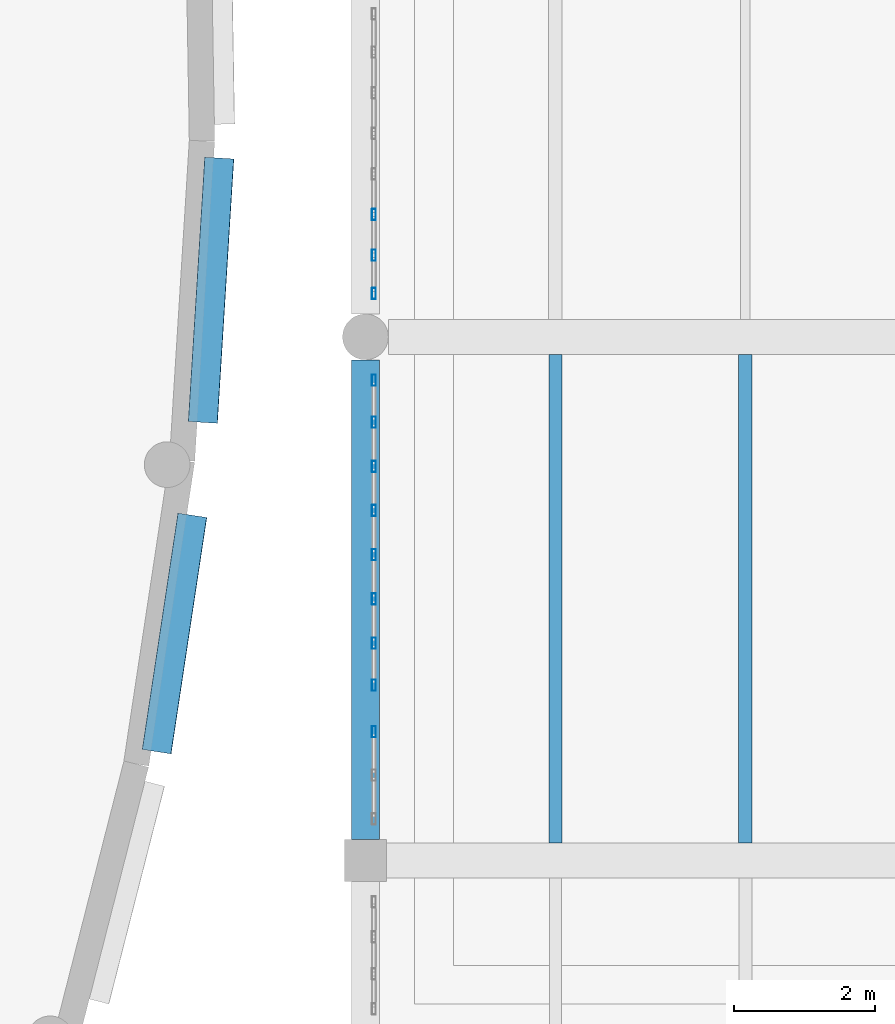
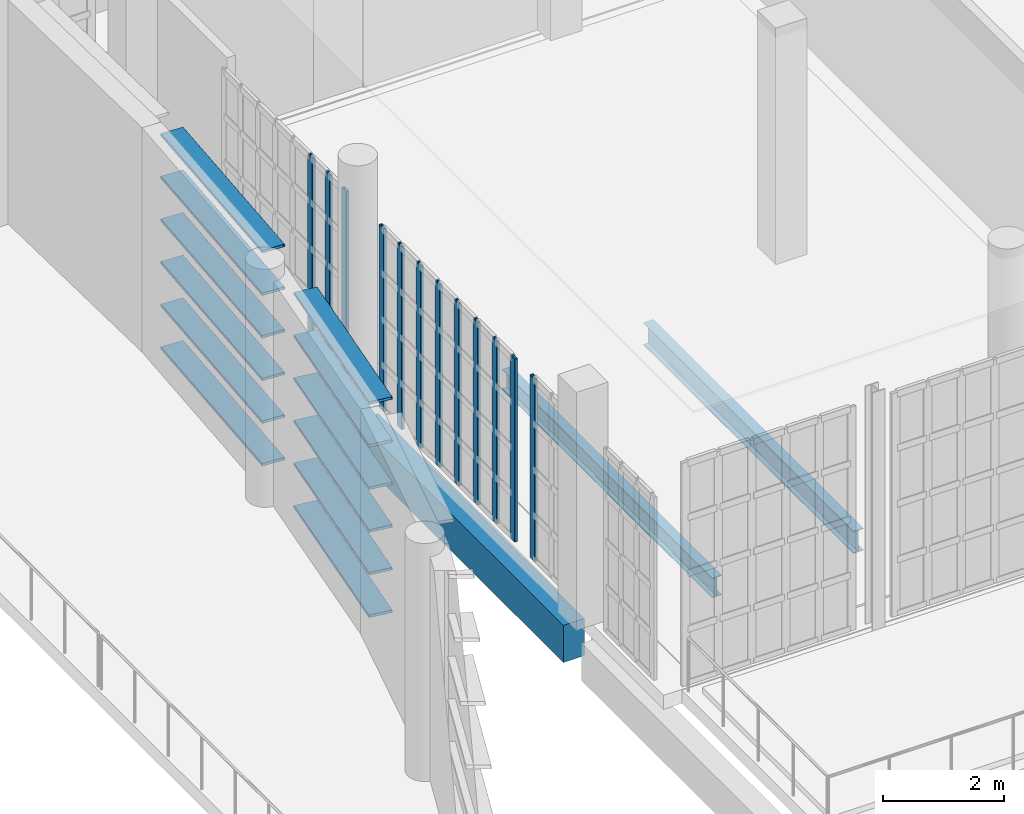
# One storey, part 29 of 104: 24 members, 3 beams, 3 elements without a shape of their own.
"""IFC4 building model written with IfcOpenShell, lengths in metres."""

from ifc_helpers import new_model, si_unit, direction, frame, origin, origin_2d, place, context, subcontext, project, spatial, rectangle, hollow_rectangle, i_section, extrude, material, material_profile, profile_set, type_object, element, aggregate, save


model = new_model("IFC4")

# Units and contexts
model_context = context("Model", 3, precision=1e-05, world=origin(), true_north=direction((0.0, 1.0)))
body_context = subcontext(model_context, "Body", "Model", "MODEL_VIEW")
ifc_project = project(units=[si_unit("LENGTHUNIT", "METRE"), si_unit("AREAUNIT", "SQUARE_METRE"), si_unit("VOLUMEUNIT", "CUBIC_METRE"), si_unit("PLANEANGLEUNIT", "RADIAN"), si_unit("MASSUNIT", "GRAM", prefix="KILO")], contexts=[model_context])

# Site, building, storey
site_placement = place(None, origin())
site = spatial("IfcSite", under=ifc_project, at=site_placement, CompositionType="ELEMENT")
building_placement = place(site_placement, origin())
building = spatial("IfcBuilding", under=site, at=building_placement, Name="Kaelora Sail Theatre", CompositionType="ELEMENT")
storey_placement = place(building_placement, frame((0.0, 0.0, 5.39990234375)))
storey = spatial("IfcBuildingStorey", under=building, at=storey_placement, Name="L01", CompositionType="ELEMENT", Elevation=5.39990234375)

# Members
ifc_material_1 = material(Name="Anodised aluminium 6063-T6", Category="aluminium")
ifc_material_profile_1 = material_profile(ifc_material_1, hollow_rectangle(XDim=0.419921875, YDim=0.054931640625, WallThickness=0.00390625, InnerFilletRadius=0.00390625, OuterFilletRadius=0.008056640625, at=origin_2d()), Name="LOUVRE 420x55x4")
ifc_profile_set_1 = profile_set([ifc_material_profile_1], Name="Anodised aluminium 6063-T6")
member_type_1 = type_object("IfcMemberType", Name="ARC-MEM-LVR-420", PredefinedType="USERDEFINED", material=ifc_profile_set_1)
for number, where, z_axis, x_axis, name in (
    (1, (104.72265625, 56.121337890625, 0.150146484375), (-0.062079432588, -0.998071211913, 0.0), (0.998071211913, -0.062079432588, 0.0), "Studio Theatre Sail Drum horizontal solar louvre C2-06"),
    (2, (104.72265625, 56.121337890625, 1.010009765625), (-0.062079432588, -0.998071211913, 0.0), (0.998071211913, -0.062079432588, 0.0), "Studio Theatre Sail Drum horizontal solar louvre C2-07"),
    (3, (104.72265625, 56.121337890625, 1.8701171875), (-0.062079432588, -0.998071211913, 0.0), (0.998071211913, -0.062079432588, 0.0), "Studio Theatre Sail Drum horizontal solar louvre C2-08"),
    (4, (104.72265625, 56.121337890625, 2.72998046875), (-0.062079432588, -0.998071211913, 0.0), (0.998071211913, -0.062079432588, 0.0), "Studio Theatre Sail Drum horizontal solar louvre C2-09"),
    (5, (104.72265625, 56.121337890625, 3.590087890625), (-0.062079432588, -0.998071211913, 0.0), (0.998071211913, -0.062079432588, 0.0), "Studio Theatre Sail Drum horizontal solar louvre C2-10"),
    (6, (104.72265625, 56.121337890625, 4.4501953125), (-0.062079432588, -0.998071211913, 0.0), (0.998071211913, -0.062079432588, 0.0), "Studio Theatre Sail Drum horizontal solar louvre C2-11"),
):
    element("IfcMember", number, at=place(storey_placement, frame(where, z_axis=z_axis, x_axis=x_axis)), inside=storey, type_object=member_type_1, Name=name, ObjectType="LOUVRE", PredefinedType="USERDEFINED", context=body_context, shape_type="SweptSolid", body=[
        extrude(hollow_rectangle(XDim=0.419921875, YDim=0.054931640625, WallThickness=0.00390625, InnerFilletRadius=0.00390625, OuterFilletRadius=0.008056640625, at=origin_2d()), origin(), (0.0, 0.0, 1.0), 3.763671875),
    ])
for number, where, z_axis, x_axis, name in (
    (7, (104.340087890625, 51.04443359375, 0.150146484375), (-0.149366728662, -0.98878186693, 0.0), (0.98878186693, -0.149366728662, 0.0), "Studio Theatre Sail Drum horizontal solar louvre C3-06"),
    (8, (104.340087890625, 51.04443359375, 1.010009765625), (-0.149366728662, -0.98878186693, 0.0), (0.98878186693, -0.149366728662, 0.0), "Studio Theatre Sail Drum horizontal solar louvre C3-07"),
    (9, (104.340087890625, 51.04443359375, 1.8701171875), (-0.149366728662, -0.98878186693, 0.0), (0.98878186693, -0.149366728662, 0.0), "Studio Theatre Sail Drum horizontal solar louvre C3-08"),
    (10, (104.340087890625, 51.04443359375, 2.72998046875), (-0.149366728662, -0.98878186693, 0.0), (0.98878186693, -0.149366728662, 0.0), "Studio Theatre Sail Drum horizontal solar louvre C3-09"),
    (11, (104.340087890625, 51.04443359375, 3.590087890625), (-0.149366728662, -0.98878186693, 0.0), (0.98878186693, -0.149366728662, 0.0), "Studio Theatre Sail Drum horizontal solar louvre C3-10"),
    (12, (104.340087890625, 51.04443359375, 4.4501953125), (-0.149366728662, -0.98878186693, 0.0), (0.98878186693, -0.149366728662, 0.0), "Studio Theatre Sail Drum horizontal solar louvre C3-11"),
):
    element("IfcMember", number, at=place(storey_placement, frame(where, z_axis=z_axis, x_axis=x_axis)), inside=storey, type_object=member_type_1, Name=name, ObjectType="LOUVRE", PredefinedType="USERDEFINED", context=body_context, shape_type="SweptSolid", body=[
        extrude(hollow_rectangle(XDim=0.419921875, YDim=0.054931640625, WallThickness=0.00390625, InnerFilletRadius=0.00390625, OuterFilletRadius=0.008056640625, at=origin_2d()), origin(), (0.0, 0.0, 1.0), 3.396484375),
    ])

# Curtain wall, member
ifc_material_2 = material(Name="Anodised aluminium and solar-control low-E IGU", Category="aluminium")
curtain_wall_type = type_object("IfcCurtainWallType", Name="ARC-CW-CW-PROW", PredefinedType="NOTDEFINED", material=ifc_material_2)
curtain_wall_1_placement = place(storey_placement, origin())
curtain_wall_1 = element("IfcCurtainWall", 13, at=curtain_wall_1_placement, inside=storey, type_object=curtain_wall_type, Name="East Interstitial Foyer West Glazed Return L01-01", PredefinedType="NOTDEFINED")
ifc_material_3 = material(Name="Anodised aluminium 6063-T6", Category="aluminium")
ifc_material_profile_2 = material_profile(ifc_material_3, hollow_rectangle(XDim=0.06005859375, YDim=0.159912109375, WallThickness=0.00390625, InnerFilletRadius=0.00390625, OuterFilletRadius=0.008056640625, at=origin_2d()), Name="ALU-MULL 60x160x4")
ifc_profile_set_2 = profile_set([ifc_material_profile_2], Name="Anodised aluminium 6063-T6")
member_type_2 = type_object("IfcMemberType", Name="ARC-MEM-ML-160", PredefinedType="MULLION", material=ifc_profile_set_2)
member_1_placement = place(storey_placement, frame((106.919921875, 47.969970703125, 0.0), z_axis=(0.0, 0.0, 1.0), x_axis=(-1.0, 0.0, 0.0)))
member_1 = element("IfcMember", 14, at=member_1_placement, type_object=member_type_2, Name="CW-PROW mullion 3", PredefinedType="MULLION", context=body_context, shape_type="SweptSolid", body=[
    extrude(hollow_rectangle(XDim=0.06005859375, YDim=0.159912109375, WallThickness=0.00390625, InnerFilletRadius=0.00390625, OuterFilletRadius=0.008056640625, at=origin_2d()), origin(), (0.0, 0.0, 1.0), 3.68701171875),
])
aggregate(curtain_wall_1, [member_1])

# Curtain wall, members
curtain_wall_2_placement = place(storey_placement, origin())
curtain_wall_2 = element("IfcCurtainWall", 15, at=curtain_wall_2_placement, inside=storey, type_object=curtain_wall_type, Name="East Interstitial Foyer West Glazed Return L01-02", PredefinedType="NOTDEFINED")
member_2_placement = place(storey_placement, frame((106.919921875, 48.6298828125, 0.0), z_axis=(0.0, 0.0, 1.0), x_axis=(-1.0, 0.0, 0.0)))
member_2 = element("IfcMember", 16, at=member_2_placement, type_object=member_type_2, Name="CW-PROW mullion 1", PredefinedType="MULLION", context=body_context, shape_type="SweptSolid", body=[
    extrude(hollow_rectangle(XDim=0.06005859375, YDim=0.159912109375, WallThickness=0.00390625, InnerFilletRadius=0.00390625, OuterFilletRadius=0.008056640625, at=origin_2d()), origin(), (0.0, 0.0, 1.0), 3.68701171875),
])
member_3_placement = place(storey_placement, frame((106.919921875, 49.227783203125, 0.0), z_axis=(0.0, 0.0, 1.0), x_axis=(-1.0, 0.0, 0.0)))
member_3 = element("IfcMember", 17, at=member_3_placement, type_object=member_type_2, Name="CW-PROW mullion 2", PredefinedType="MULLION", context=body_context, shape_type="SweptSolid", body=[
    extrude(hollow_rectangle(XDim=0.06005859375, YDim=0.159912109375, WallThickness=0.00390625, InnerFilletRadius=0.00390625, OuterFilletRadius=0.008056640625, at=origin_2d()), origin(), (0.0, 0.0, 1.0), 3.68701171875),
])
member_4_placement = place(storey_placement, frame((106.919921875, 49.855712890625, 0.0), z_axis=(0.0, 0.0, 1.0), x_axis=(-1.0, 0.0, 0.0)))
member_4 = element("IfcMember", 18, at=member_4_placement, type_object=member_type_2, Name="CW-PROW mullion 3", PredefinedType="MULLION", context=body_context, shape_type="SweptSolid", body=[
    extrude(hollow_rectangle(XDim=0.06005859375, YDim=0.159912109375, WallThickness=0.00390625, InnerFilletRadius=0.00390625, OuterFilletRadius=0.008056640625, at=origin_2d()), origin(), (0.0, 0.0, 1.0), 3.68701171875),
])
member_5_placement = place(storey_placement, frame((106.919921875, 50.483642578125, 0.0), z_axis=(0.0, 0.0, 1.0), x_axis=(-1.0, 0.0, 0.0)))
member_5 = element("IfcMember", 19, at=member_5_placement, type_object=member_type_2, Name="CW-PROW mullion 4", PredefinedType="MULLION", context=body_context, shape_type="SweptSolid", body=[
    extrude(hollow_rectangle(XDim=0.06005859375, YDim=0.159912109375, WallThickness=0.00390625, InnerFilletRadius=0.00390625, OuterFilletRadius=0.008056640625, at=origin_2d()), origin(), (0.0, 0.0, 1.0), 3.68701171875),
])
member_6_placement = place(storey_placement, frame((106.919921875, 51.111328125, 0.0), z_axis=(0.0, 0.0, 1.0), x_axis=(-1.0, 0.0, 0.0)))
member_6 = element("IfcMember", 20, at=member_6_placement, type_object=member_type_2, Name="CW-PROW mullion 5", PredefinedType="MULLION", context=body_context, shape_type="SweptSolid", body=[
    extrude(hollow_rectangle(XDim=0.06005859375, YDim=0.159912109375, WallThickness=0.00390625, InnerFilletRadius=0.00390625, OuterFilletRadius=0.008056640625, at=origin_2d()), origin(), (0.0, 0.0, 1.0), 3.68701171875),
])
member_7_placement = place(storey_placement, frame((106.919921875, 51.7392578125, 0.0), z_axis=(0.0, 0.0, 1.0), x_axis=(-1.0, 0.0, 0.0)))
member_7 = element("IfcMember", 21, at=member_7_placement, type_object=member_type_2, Name="CW-PROW mullion 6", PredefinedType="MULLION", context=body_context, shape_type="SweptSolid", body=[
    extrude(hollow_rectangle(XDim=0.06005859375, YDim=0.159912109375, WallThickness=0.00390625, InnerFilletRadius=0.00390625, OuterFilletRadius=0.008056640625, at=origin_2d()), origin(), (0.0, 0.0, 1.0), 3.68701171875),
])
member_8_placement = place(storey_placement, frame((106.919921875, 52.3671875, 0.0), z_axis=(0.0, 0.0, 1.0), x_axis=(-1.0, 0.0, 0.0)))
member_8 = element("IfcMember", 22, at=member_8_placement, type_object=member_type_2, Name="CW-PROW mullion 7", PredefinedType="MULLION", context=body_context, shape_type="SweptSolid", body=[
    extrude(hollow_rectangle(XDim=0.06005859375, YDim=0.159912109375, WallThickness=0.00390625, InnerFilletRadius=0.00390625, OuterFilletRadius=0.008056640625, at=origin_2d()), origin(), (0.0, 0.0, 1.0), 3.68701171875),
])
member_9_placement = place(storey_placement, frame((106.919921875, 52.965087890625, 0.0), z_axis=(0.0, 0.0, 1.0), x_axis=(-1.0, 0.0, 0.0)))
member_9 = element("IfcMember", 23, at=member_9_placement, type_object=member_type_2, Name="CW-PROW mullion 8", PredefinedType="MULLION", context=body_context, shape_type="SweptSolid", body=[
    extrude(hollow_rectangle(XDim=0.06005859375, YDim=0.159912109375, WallThickness=0.00390625, InnerFilletRadius=0.00390625, OuterFilletRadius=0.008056640625, at=origin_2d()), origin(), (0.0, 0.0, 1.0), 3.68701171875),
])
aggregate(curtain_wall_2, [member_2, member_3, member_4, member_5, member_6, member_7, member_8, member_9])

curtain_wall_3_placement = place(storey_placement, origin())
curtain_wall_3 = element("IfcCurtainWall", 24, at=curtain_wall_3_placement, inside=storey, type_object=curtain_wall_type, Name="East Interstitial Foyer West Glazed Return L01-03", PredefinedType="NOTDEFINED")
member_10_placement = place(storey_placement, frame((106.919921875, 54.195068359375, 0.0), z_axis=(0.0, 0.0, 1.0), x_axis=(-1.0, 0.0, 0.0)))
member_10 = element("IfcMember", 25, at=member_10_placement, type_object=member_type_2, Name="CW-PROW mullion 1", PredefinedType="MULLION", context=body_context, shape_type="SweptSolid", body=[
    extrude(hollow_rectangle(XDim=0.06005859375, YDim=0.159912109375, WallThickness=0.00390625, InnerFilletRadius=0.00390625, OuterFilletRadius=0.008056640625, at=origin_2d()), origin(), (0.0, 0.0, 1.0), 3.68701171875),
])
member_11_placement = place(storey_placement, frame((106.919921875, 54.741455078125, 0.0), z_axis=(0.0, 0.0, 1.0), x_axis=(-1.0, 0.0, 0.0)))
member_11 = element("IfcMember", 26, at=member_11_placement, type_object=member_type_2, Name="CW-PROW mullion 2", PredefinedType="MULLION", context=body_context, shape_type="SweptSolid", body=[
    extrude(hollow_rectangle(XDim=0.06005859375, YDim=0.159912109375, WallThickness=0.00390625, InnerFilletRadius=0.00390625, OuterFilletRadius=0.008056640625, at=origin_2d()), origin(), (0.0, 0.0, 1.0), 3.68701171875),
])
member_12_placement = place(storey_placement, frame((106.919921875, 55.31787109375, 0.0), z_axis=(0.0, 0.0, 1.0), x_axis=(-1.0, 0.0, 0.0)))
member_12 = element("IfcMember", 27, at=member_12_placement, type_object=member_type_2, Name="CW-PROW mullion 3", PredefinedType="MULLION", context=body_context, shape_type="SweptSolid", body=[
    extrude(hollow_rectangle(XDim=0.06005859375, YDim=0.159912109375, WallThickness=0.00390625, InnerFilletRadius=0.00390625, OuterFilletRadius=0.008056640625, at=origin_2d()), origin(), (0.0, 0.0, 1.0), 3.68701171875),
])
aggregate(curtain_wall_3, [member_10, member_11, member_12])

# Beams
ifc_material_4 = material(Name="Steel S355", Category="steel")
ifc_material_profile_3 = material_profile(ifc_material_4, i_section(OverallWidth=0.18994140625, OverallDepth=0.449951171875, WebThickness=0.009521484375, FlangeThickness=0.0146484375, FilletRadius=0.02099609375, at=origin_2d()), Name="IPE 450")
ifc_profile_set_3 = profile_set([ifc_material_profile_3], Name="Steel S355")
beam_type_1 = type_object("IfcBeamType", Name="STR-BM-BM-IPE450", PredefinedType="BEAM", material=ifc_profile_set_3)
beam_1_placement = place(storey_placement, frame((112.199951171875, 46.389892578125, -0.52001953125), z_axis=(0.0, 1.0, 0.0), x_axis=(-1.0, 0.0, 0.0)))
element("IfcBeam", 28, at=beam_1_placement, inside=storey, type_object=beam_type_1, Name="Secondary floor joist 14/G-2 (L01)", PredefinedType="BEAM", context=body_context, shape_type="SweptSolid", body=[
    extrude(i_section(OverallWidth=0.18994140625, OverallDepth=0.449951171875, WebThickness=0.009521484375, FlangeThickness=0.0146484375, FilletRadius=0.02099609375, at=origin_2d()), origin(), (0.0, 0.0, 1.0), 6.940185546875),
])
ifc_material_5 = material(Name="Concrete C40/50", Category="concrete")
ifc_material_profile_4 = material_profile(ifc_material_5, rectangle(XDim=0.39990234375, YDim=0.75, at=origin_2d()), Name="RC-BM 400x750")
ifc_profile_set_4 = profile_set([ifc_material_profile_4], Name="Concrete C40/50")
beam_type_2 = type_object("IfcBeamType", Name="STR-BM-BM-RC4075", PredefinedType="BEAM", material=ifc_profile_set_4)
beam_2_placement = place(storey_placement, frame((106.800048828125, 46.43994140625, -0.669921875), z_axis=(0.0, 1.0, 0.0), x_axis=(-1.0, 0.0, 0.0)))
element("IfcBeam", 29, at=beam_2_placement, inside=storey, type_object=beam_type_2, Name="Primary beam 14 G-H (L01)", PredefinedType="BEAM", context=body_context, shape_type="SweptSolid", body=[
    extrude(rectangle(XDim=0.39990234375, YDim=0.75, at=origin_2d()), origin(), (0.0, 0.0, 1.0), 6.81494140625),
])
ifc_material_6 = material(Name="Steel S355", Category="steel")
ifc_material_profile_5 = material_profile(ifc_material_6, i_section(OverallWidth=0.179931640625, OverallDepth=0.39990234375, WebThickness=0.008544921875, FlangeThickness=0.013427734375, FilletRadius=0.02099609375, at=origin_2d()), Name="IPE 400")
ifc_profile_set_5 = profile_set([ifc_material_profile_5], Name="Steel S355")
beam_type_3 = type_object("IfcBeamType", Name="STR-BM-JS-IPE400", PredefinedType="JOIST", material=ifc_profile_set_5)
beam_3_placement = place(storey_placement, frame((109.5, 46.389892578125, -0.494873046875), z_axis=(0.0, 1.0, 0.0), x_axis=(-1.0, 0.0, 0.0)))
element("IfcBeam", 30, at=beam_3_placement, inside=storey, type_object=beam_type_3, Name="Secondary floor joist 14/G-1 (L01)", PredefinedType="JOIST", context=body_context, shape_type="SweptSolid", body=[
    extrude(i_section(OverallWidth=0.179931640625, OverallDepth=0.39990234375, WebThickness=0.008544921875, FlangeThickness=0.013427734375, FilletRadius=0.02099609375, at=origin_2d()), origin(), (0.0, 0.0, 1.0), 6.940185546875),
])

save(model, "model.ifc")
